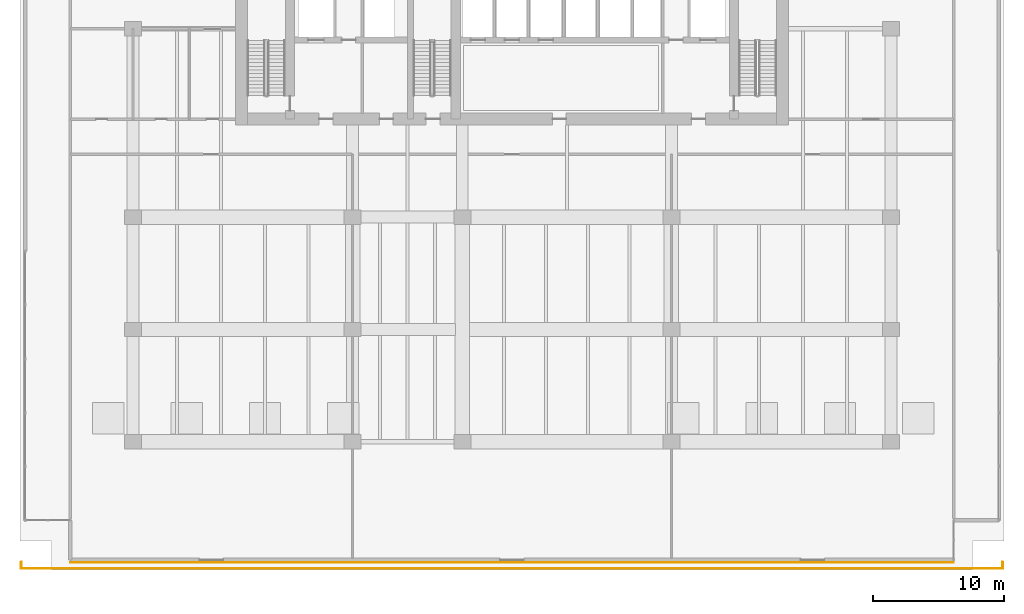
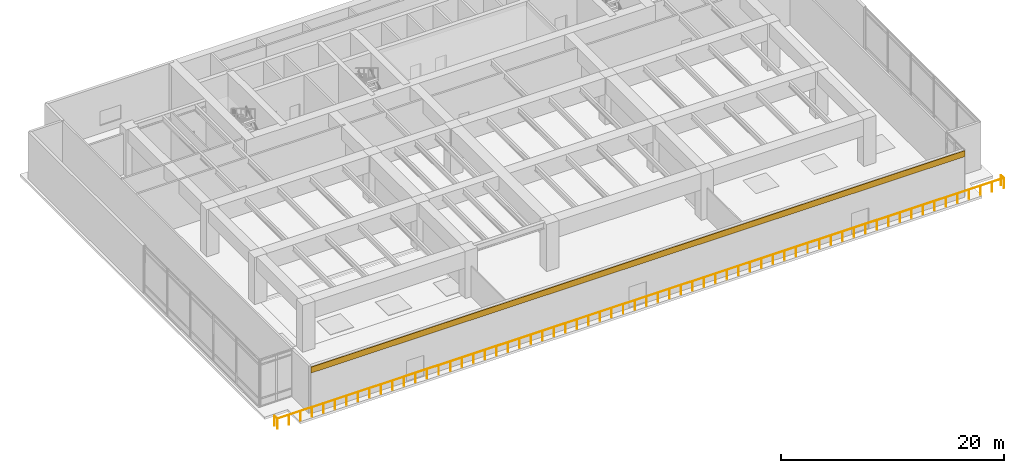
# One storey, part 10 of 12: 1 covering, 1 railing.
"""IFC4 building model written with IfcOpenShell, lengths in metres."""

import ifcopenshell
import ifcopenshell.guid

model = None  # the IFC model being written
_history = None  # IfcOwnerHistory: only IFC2X3 demands one
_inside = {}  # id of a spatial element -> (the spatial element, [elements in it])
_under = {}  # id of a project, library or spatial element -> (it, [spatial elements below it])
_declared = {}  # id of a project -> (the project, [libraries it declares])
_typed = {}  # id of a type object -> (the type object, [elements of that type])
_made_of = {}  # id of a material, layer set ... -> (it, [elements and type objects made of it])


def new_model(schema):
    """Start an empty IFC model of exactly this schema.

    Asked for "IFC4X3", IfcOpenShell would pick the latest addendum, in which some entities
    have other attributes; the version numbers below select the first issue.
    IFC2X3 requires an IfcOwnerHistory on every rooted entity: one is made here for all.
    """
    global model, _history
    if schema == "IFC4X3":
        model = ifcopenshell.file(schema_version=(4, 3, 0, 0))
    else:
        model = ifcopenshell.file(schema=schema)
    _inside.clear()
    _under.clear()
    _declared.clear()
    _typed.clear()
    _made_of.clear()
    _history = None
    if model.schema == "IFC2X3":
        org = make("IfcOrganization", Name="unknown")
        user = make(
            "IfcPersonAndOrganization",
            ThePerson=make("IfcPerson", FamilyName="unknown"),
            TheOrganization=org,
        )
        app = make(
            "IfcApplication",
            ApplicationDeveloper=org,
            Version="unknown",
            ApplicationFullName="unknown",
            ApplicationIdentifier="unknown",
        )
        _history = make(
            "IfcOwnerHistory",
            OwningUser=user,
            OwningApplication=app,
            ChangeAction="ADDED",
            CreationDate=0,
        )
    return model


def make(cls, **values):
    """One entity of the class cls with the attributes given. An attribute that is None is left unset."""
    return model.create_entity(
        cls, **{name: value for name, value in values.items() if value is not None}
    )


def rooted(cls, **values):
    """An entity with a GlobalId (a new one), such as an element, a storey or a relation."""
    return make(cls, GlobalId=ifcopenshell.guid.new(), OwnerHistory=_history, **values)


def si_unit(unit_type, name, prefix=None):
    """IfcSIUnit, for example si_unit("LENGTHUNIT", "METRE", prefix="MILLI")."""
    return make("IfcSIUnit", UnitType=unit_type, Prefix=prefix, Name=name)


def assignment(units):
    """IfcUnitAssignment: the units of a project."""
    return None if units is None else make("IfcUnitAssignment", Units=units)


def point(xyz):
    """IfcCartesianPoint."""
    return None if xyz is None else make("IfcCartesianPoint", Coordinates=xyz)


def direction(xyz):
    """IfcDirection."""
    return None if xyz is None else make("IfcDirection", DirectionRatios=xyz)


def frame(location, z_axis=None, x_axis=None):
    """IfcAxis2Placement3D, a coordinate frame: its origin and axes. An axis left out is left unset."""
    return make(
        "IfcAxis2Placement3D",
        Location=point(location),
        Axis=direction(z_axis),
        RefDirection=direction(x_axis),
    )


def frame_2d(location, x_axis=None):
    """IfcAxis2Placement2D, a coordinate frame in the plane: its origin and x axis."""
    return make(
        "IfcAxis2Placement2D", Location=point(location), RefDirection=direction(x_axis)
    )


def origin():
    """The frame at (0, 0, 0) with its axes left unset."""
    return frame((0.0, 0.0, 0.0))


def origin_2d():
    """The frame at (0, 0) in the plane with its x axis left unset."""
    return frame_2d((0.0, 0.0))


def place(relative_to, where):
    """IfcLocalPlacement: puts the frame where relative to a parent placement (None: the world)."""
    return make(
        "IfcLocalPlacement", PlacementRelTo=relative_to, RelativePlacement=where
    )


def context(
    kind, dimensions, precision=None, world=None, true_north=None, identifier=None
):
    """IfcGeometricRepresentationContext, for example the 3D "Model" context."""
    return make(
        "IfcGeometricRepresentationContext",
        ContextIdentifier=identifier,
        ContextType=kind,
        CoordinateSpaceDimension=dimensions,
        Precision=precision,
        WorldCoordinateSystem=world,
        TrueNorth=true_north,
    )


def subcontext(parent, identifier, kind, view, scale=None):
    """IfcGeometricRepresentationSubContext, for example "Body" below "Model"."""
    return make(
        "IfcGeometricRepresentationSubContext",
        ContextIdentifier=identifier,
        ContextType=kind,
        ParentContext=parent,
        TargetScale=scale,
        TargetView=view,
    )


def project(units=None, contexts=None):
    """IfcProject with its units and contexts."""
    return rooted(
        "IfcProject",
        Name="project",
        RepresentationContexts=contexts,
        UnitsInContext=assignment(units),
    )


def spatial(cls, under=None, at=None, **own):
    """A site, building, storey or space (cls), placed at a placement, below another one or the project."""
    s = rooted(cls, ObjectPlacement=at, **own)
    if under is not None:
        _under.setdefault(under.id(), (under, []))[1].append(s)
    return s


def profile(cls, at=None, kind="AREA", **sizes):
    """A parametric profile (cls). Its sizes go by their IFC names, for example OverallWidth=200.0."""
    return make(cls, ProfileType=kind, Position=at, **sizes)


def rectangle(**sizes):
    """IfcRectangleProfileDef."""
    return profile("IfcRectangleProfileDef", **sizes)


def circle(**sizes):
    """IfcCircleProfileDef."""
    return profile("IfcCircleProfileDef", **sizes)


def extrude(swept, where, along, depth):
    """IfcExtrudedAreaSolid: the profile swept, set in the frame where, extruded along a direction by depth."""
    return make(
        "IfcExtrudedAreaSolid",
        SweptArea=swept,
        Position=where,
        ExtrudedDirection=direction(along),
        Depth=depth,
    )


def shape(context_of_items, identifier, shape_type, items):
    """IfcShapeRepresentation: the items that make up one representation, for example the "Body"."""
    return make(
        "IfcShapeRepresentation",
        ContextOfItems=context_of_items,
        RepresentationIdentifier=identifier,
        RepresentationType=shape_type,
        Items=items,
    )


def material(Name=None, Category=None):
    """IfcMaterial."""
    return make("IfcMaterial", Name=Name, Category=Category)


def layer(
    of_material, thickness, ventilated=None, Name=None, Category=None, Priority=None
):
    """IfcMaterialLayer: one layer of a wall or slab, of a material (None: an air gap)."""
    return make(
        "IfcMaterialLayer",
        Material=of_material,
        LayerThickness=thickness,
        IsVentilated=ventilated,
        Name=Name,
        Category=Category,
        Priority=Priority,
    )


def layer_set(layers, Name=None):
    """IfcMaterialLayerSet."""
    return make("IfcMaterialLayerSet", MaterialLayers=layers, LayerSetName=Name)


def made_of(thing, what):
    """Note that an element or type object is made of a material, layer set ...; save() writes the relation."""
    if what is not None:
        _made_of.setdefault(what.id(), (what, []))[1].append(thing)
    return thing


def type_object(cls, material=None, **own):
    """A type object (cls), such as IfcWallType, which elements share."""
    return made_of(rooted(cls, **own), material)


def element(
    cls,
    number,
    at=None,
    inside=None,
    cuts=None,
    type_object=None,
    material=None,
    context=None,
    identifier="Body",
    shape_type=None,
    held_by="IfcProductDefinitionShape",
    body=None,
    shapes=None,
    **own,
):
    """One element of the class cls, such as IfcWall. Its Tag is "e" and its number.

    at: its placement. inside: the storey or other place that contains it. cuts: it is an
    opening in that element (IfcRelVoidsElement). A single representation is given by context,
    identifier, shape_type and body (its items); several are given by shapes. held_by: the class
    of the entity that holds the representations. save() writes the other relations.
    """
    e = rooted(cls, Tag="e%d" % number, ObjectPlacement=at, **own)
    if body is not None:
        shapes = [shape(context, identifier, shape_type, body)]
    if shapes is not None:
        e.Representation = make(held_by, Representations=shapes)
    if inside is not None:
        _inside.setdefault(inside.id(), (inside, []))[1].append(e)
    if cuts is not None:
        rooted(
            "IfcRelVoidsElement", RelatingBuildingElement=cuts, RelatedOpeningElement=e
        )
    if type_object is not None:
        _typed.setdefault(type_object.id(), (type_object, []))[1].append(e)
    return made_of(e, material)


def aggregate(whole, parts):
    """IfcRelAggregates: a whole, such as a stair, and the parts it consists of."""
    return rooted("IfcRelAggregates", RelatingObject=whole, RelatedObjects=parts)


def save(model, path):
    """Write the relations noted so far, then the file.

    IfcRelAggregates (storeys below a building ...), IfcRelContainedInSpatialStructure (elements
    in a storey), IfcRelDefinesByType, IfcRelAssociatesMaterial and IfcRelDeclares: one each for
    every whole, place, type object, material and project.
    """
    for whole, parts in _under.values():
        aggregate(whole, parts)
    for where, things in _inside.values():
        rooted(
            "IfcRelContainedInSpatialStructure",
            RelatedElements=things,
            RelatingStructure=where,
        )
    for kind, things in _typed.values():
        rooted("IfcRelDefinesByType", RelatedObjects=things, RelatingType=kind)
    for what, things in _made_of.values():
        rooted("IfcRelAssociatesMaterial", RelatedObjects=things, RelatingMaterial=what)
    for by, libraries in _declared.values():
        rooted("IfcRelDeclares", RelatingContext=by, RelatedDefinitions=libraries)
    model.write(path)


model = new_model("IFC4")

# Units and contexts
model_context = context("Model", 3, precision=1e-05, world=origin(), true_north=direction((0.0, 1.0)))
body_context = subcontext(model_context, "Body", "Model", "MODEL_VIEW")
ifc_project = project(units=[si_unit("LENGTHUNIT", "METRE"), si_unit("AREAUNIT", "SQUARE_METRE"), si_unit("VOLUMEUNIT", "CUBIC_METRE"), si_unit("PLANEANGLEUNIT", "RADIAN"), si_unit("MASSUNIT", "GRAM", prefix="KILO")], contexts=[model_context])

# Site, building, storey
site_placement = place(None, origin())
site = spatial("IfcSite", under=ifc_project, at=site_placement, CompositionType="ELEMENT")
building_placement = place(site_placement, origin())
building = spatial("IfcBuilding", under=site, at=building_placement, Name="Caelmar Bay Residences", CompositionType="ELEMENT")
storey_placement = place(building_placement, frame((0.0, 0.0, 24.60009765625)))
storey = spatial("IfcBuildingStorey", under=building, at=storey_placement, Name="L05", CompositionType="ELEMENT", Elevation=24.60009765625)

# Covering
ifc_material_1 = material(Name="Honed Florida oolitic limestone rainscreen 60 mm", Category="masonry")
ifc_layer = layer(ifc_material_1, 0.06005859375)
ifc_layer_set = layer_set([ifc_layer], Name="Honed Florida oolitic limestone rainscreen 60 mm")
covering_type = type_object("IfcCoveringType", Name="COV-CLAD-60", PredefinedType="CLADDING", material=ifc_layer_set)
covering_placement = place(storey_placement, frame((38.89990234375, 2.969970703125, 4.474853515625), z_axis=(0.0, 0.0, 1.0), x_axis=(1.0, 0.0, 0.0)))
element("IfcCovering", 1, at=covering_placement, inside=storey, type_object=covering_type, Name="L05 Oolitic Limestone Spandrel Cladding", PredefinedType="CLADDING", context=body_context, shape_type="SweptSolid", body=[
    extrude(rectangle(XDim=67.60009765625, YDim=0.06005859375, at=origin_2d()), origin(), (0.0, 0.0, 1.0), 0.64990234375),
])

# Railing
ifc_material_2 = material(Name="Anodised bronze handrail with laminated hurricane glass infill", Category="glass")
railing_type = type_object("IfcRailingType", Name="RL-BAL-1100", PredefinedType="BALUSTRADE", material=ifc_material_2)
railing_placement = place(storey_placement, frame((1.35009765625, 3.0, 0.0)))
element("IfcRailing", 2, at=railing_placement, inside=storey, type_object=railing_type, Name="L05 Planted Terrace Perimeter Balustrade", PredefinedType="BALUSTRADE", context=body_context, shape_type="SweptSolid", body=[
    extrude(circle(Radius=0.02392578125, at=origin_2d()), frame((0.0, 0.0, 1.076171875), z_axis=(0.0, -1.0, 0.0), x_axis=(1.0, 0.0, 0.0)), (0.0, 0.0, 1.0), 0.5),
    extrude(circle(Radius=0.02392578125, at=origin_2d()), frame((0.0, -0.5, 1.076171875), z_axis=(1.0, 0.0, 0.0), x_axis=(0.0, 1.0, 0.0)), (0.0, 0.0, 1.0), 75.099853515625),
    extrude(circle(Radius=0.02392578125, at=origin_2d()), frame((75.099853515625, -0.5, 1.076171875), z_axis=(0.0, 1.0, 0.0), x_axis=(-1.0, 0.0, 0.0)), (0.0, 0.0, 1.0), 0.5),
    extrude(circle(Radius=0.02099609375, at=origin_2d()), origin(), (0.0, 0.0, 1.0), 1.052001953125),
    extrude(circle(Radius=0.02099609375, at=origin_2d()), frame((0.0, -0.5, 0.0)), (0.0, 0.0, 1.0), 1.052001953125),
    extrude(circle(Radius=0.02099609375, at=origin_2d()), frame((1.192138671875, -0.5, 0.0)), (0.0, 0.0, 1.0), 1.052001953125),
    extrude(circle(Radius=0.02099609375, at=origin_2d()), frame((2.384033203125, -0.5, 0.0)), (0.0, 0.0, 1.0), 1.052001953125),
    extrude(circle(Radius=0.02099609375, at=origin_2d()), frame((3.576171875, -0.5, 0.0)), (0.0, 0.0, 1.0), 1.052001953125),
    extrude(circle(Radius=0.02099609375, at=origin_2d()), frame((4.768310546875, -0.5, 0.0)), (0.0, 0.0, 1.0), 1.052001953125),
    extrude(circle(Radius=0.02099609375, at=origin_2d()), frame((5.960205078125, -0.5, 0.0)), (0.0, 0.0, 1.0), 1.052001953125),
    extrude(circle(Radius=0.02099609375, at=origin_2d()), frame((7.15234375, -0.5, 0.0)), (0.0, 0.0, 1.0), 1.052001953125),
    extrude(circle(Radius=0.02099609375, at=origin_2d()), frame((8.344482421875, -0.5, 0.0)), (0.0, 0.0, 1.0), 1.052001953125),
    extrude(circle(Radius=0.02099609375, at=origin_2d()), frame((9.536376953125, -0.5, 0.0)), (0.0, 0.0, 1.0), 1.052001953125),
    extrude(circle(Radius=0.02099609375, at=origin_2d()), frame((10.728515625, -0.5, 0.0)), (0.0, 0.0, 1.0), 1.052001953125),
    extrude(circle(Radius=0.02099609375, at=origin_2d()), frame((11.920654296875, -0.5, 0.0)), (0.0, 0.0, 1.0), 1.052001953125),
    extrude(circle(Radius=0.02099609375, at=origin_2d()), frame((13.11279296875, -0.5, 0.0)), (0.0, 0.0, 1.0), 1.052001953125),
    extrude(circle(Radius=0.02099609375, at=origin_2d()), frame((14.3046875, -0.5, 0.0)), (0.0, 0.0, 1.0), 1.052001953125),
    extrude(circle(Radius=0.02099609375, at=origin_2d()), frame((15.496826171875, -0.5, 0.0)), (0.0, 0.0, 1.0), 1.052001953125),
    extrude(circle(Radius=0.02099609375, at=origin_2d()), frame((16.68896484375, -0.5, 0.0)), (0.0, 0.0, 1.0), 1.052001953125),
    extrude(circle(Radius=0.02099609375, at=origin_2d()), frame((17.880859375, -0.5, 0.0)), (0.0, 0.0, 1.0), 1.052001953125),
    extrude(circle(Radius=0.02099609375, at=origin_2d()), frame((19.072998046875, -0.5, 0.0)), (0.0, 0.0, 1.0), 1.052001953125),
    extrude(circle(Radius=0.02099609375, at=origin_2d()), frame((20.26513671875, -0.5, 0.0)), (0.0, 0.0, 1.0), 1.052001953125),
    extrude(circle(Radius=0.02099609375, at=origin_2d()), frame((21.45703125, -0.5, 0.0)), (0.0, 0.0, 1.0), 1.052001953125),
    extrude(circle(Radius=0.02099609375, at=origin_2d()), frame((22.649169921875, -0.5, 0.0)), (0.0, 0.0, 1.0), 1.052001953125),
    extrude(circle(Radius=0.02099609375, at=origin_2d()), frame((23.84130859375, -0.5, 0.0)), (0.0, 0.0, 1.0), 1.052001953125),
    extrude(circle(Radius=0.02099609375, at=origin_2d()), frame((25.033203125, -0.5, 0.0)), (0.0, 0.0, 1.0), 1.052001953125),
    extrude(circle(Radius=0.02099609375, at=origin_2d()), frame((26.225341796875, -0.5, 0.0)), (0.0, 0.0, 1.0), 1.052001953125),
    extrude(circle(Radius=0.02099609375, at=origin_2d()), frame((27.41748046875, -0.5, 0.0)), (0.0, 0.0, 1.0), 1.052001953125),
    extrude(circle(Radius=0.02099609375, at=origin_2d()), frame((28.609375, -0.5, 0.0)), (0.0, 0.0, 1.0), 1.052001953125),
    extrude(circle(Radius=0.02099609375, at=origin_2d()), frame((29.801513671875, -0.5, 0.0)), (0.0, 0.0, 1.0), 1.052001953125),
    extrude(circle(Radius=0.02099609375, at=origin_2d()), frame((30.99365234375, -0.5, 0.0)), (0.0, 0.0, 1.0), 1.052001953125),
    extrude(circle(Radius=0.02099609375, at=origin_2d()), frame((32.185546875, -0.5, 0.0)), (0.0, 0.0, 1.0), 1.052001953125),
    extrude(circle(Radius=0.02099609375, at=origin_2d()), frame((33.377685546875, -0.5, 0.0)), (0.0, 0.0, 1.0), 1.052001953125),
    extrude(circle(Radius=0.02099609375, at=origin_2d()), frame((34.56982421875, -0.5, 0.0)), (0.0, 0.0, 1.0), 1.052001953125),
    extrude(circle(Radius=0.02099609375, at=origin_2d()), frame((35.76171875, -0.5, 0.0)), (0.0, 0.0, 1.0), 1.052001953125),
    extrude(circle(Radius=0.02099609375, at=origin_2d()), frame((36.953857421875, -0.5, 0.0)), (0.0, 0.0, 1.0), 1.052001953125),
    extrude(circle(Radius=0.02099609375, at=origin_2d()), frame((38.14599609375, -0.5, 0.0)), (0.0, 0.0, 1.0), 1.052001953125),
    extrude(circle(Radius=0.02099609375, at=origin_2d()), frame((39.338134765625, -0.5, 0.0)), (0.0, 0.0, 1.0), 1.052001953125),
    extrude(circle(Radius=0.02099609375, at=origin_2d()), frame((40.530029296875, -0.5, 0.0)), (0.0, 0.0, 1.0), 1.052001953125),
    extrude(circle(Radius=0.02099609375, at=origin_2d()), frame((41.72216796875, -0.5, 0.0)), (0.0, 0.0, 1.0), 1.052001953125),
    extrude(circle(Radius=0.02099609375, at=origin_2d()), frame((42.914306640625, -0.5, 0.0)), (0.0, 0.0, 1.0), 1.052001953125),
    extrude(circle(Radius=0.02099609375, at=origin_2d()), frame((44.106201171875, -0.5, 0.0)), (0.0, 0.0, 1.0), 1.052001953125),
    extrude(circle(Radius=0.02099609375, at=origin_2d()), frame((45.29833984375, -0.5, 0.0)), (0.0, 0.0, 1.0), 1.052001953125),
    extrude(circle(Radius=0.02099609375, at=origin_2d()), frame((46.490478515625, -0.5, 0.0)), (0.0, 0.0, 1.0), 1.052001953125),
    extrude(circle(Radius=0.02099609375, at=origin_2d()), frame((47.682373046875, -0.5, 0.0)), (0.0, 0.0, 1.0), 1.052001953125),
    extrude(circle(Radius=0.02099609375, at=origin_2d()), frame((48.87451171875, -0.5, 0.0)), (0.0, 0.0, 1.0), 1.052001953125),
    extrude(circle(Radius=0.02099609375, at=origin_2d()), frame((50.066650390625, -0.5, 0.0)), (0.0, 0.0, 1.0), 1.052001953125),
    extrude(circle(Radius=0.02099609375, at=origin_2d()), frame((51.258544921875, -0.5, 0.0)), (0.0, 0.0, 1.0), 1.052001953125),
    extrude(circle(Radius=0.02099609375, at=origin_2d()), frame((52.45068359375, -0.5, 0.0)), (0.0, 0.0, 1.0), 1.052001953125),
    extrude(circle(Radius=0.02099609375, at=origin_2d()), frame((53.642822265625, -0.5, 0.0)), (0.0, 0.0, 1.0), 1.052001953125),
    extrude(circle(Radius=0.02099609375, at=origin_2d()), frame((54.834716796875, -0.5, 0.0)), (0.0, 0.0, 1.0), 1.052001953125),
    extrude(circle(Radius=0.02099609375, at=origin_2d()), frame((56.02685546875, -0.5, 0.0)), (0.0, 0.0, 1.0), 1.052001953125),
    extrude(circle(Radius=0.02099609375, at=origin_2d()), frame((57.218994140625, -0.5, 0.0)), (0.0, 0.0, 1.0), 1.052001953125),
    extrude(circle(Radius=0.02099609375, at=origin_2d()), frame((58.410888671875, -0.5, 0.0)), (0.0, 0.0, 1.0), 1.052001953125),
    extrude(circle(Radius=0.02099609375, at=origin_2d()), frame((59.60302734375, -0.5, 0.0)), (0.0, 0.0, 1.0), 1.052001953125),
    extrude(circle(Radius=0.02099609375, at=origin_2d()), frame((60.795166015625, -0.5, 0.0)), (0.0, 0.0, 1.0), 1.052001953125),
    extrude(circle(Radius=0.02099609375, at=origin_2d()), frame((61.987060546875, -0.5, 0.0)), (0.0, 0.0, 1.0), 1.052001953125),
    extrude(circle(Radius=0.02099609375, at=origin_2d()), frame((63.17919921875, -0.5, 0.0)), (0.0, 0.0, 1.0), 1.052001953125),
    extrude(circle(Radius=0.02099609375, at=origin_2d()), frame((64.371337890625, -0.5, 0.0)), (0.0, 0.0, 1.0), 1.052001953125),
    extrude(circle(Radius=0.02099609375, at=origin_2d()), frame((65.5634765625, -0.5, 0.0)), (0.0, 0.0, 1.0), 1.052001953125),
    extrude(circle(Radius=0.02099609375, at=origin_2d()), frame((66.75537109375, -0.5, 0.0)), (0.0, 0.0, 1.0), 1.052001953125),
    extrude(circle(Radius=0.02099609375, at=origin_2d()), frame((67.947509765625, -0.5, 0.0)), (0.0, 0.0, 1.0), 1.052001953125),
    extrude(circle(Radius=0.02099609375, at=origin_2d()), frame((69.1396484375, -0.5, 0.0)), (0.0, 0.0, 1.0), 1.052001953125),
    extrude(circle(Radius=0.02099609375, at=origin_2d()), frame((70.33154296875, -0.5, 0.0)), (0.0, 0.0, 1.0), 1.052001953125),
    extrude(circle(Radius=0.02099609375, at=origin_2d()), frame((71.523681640625, -0.5, 0.0)), (0.0, 0.0, 1.0), 1.052001953125),
    extrude(circle(Radius=0.02099609375, at=origin_2d()), frame((72.7158203125, -0.5, 0.0)), (0.0, 0.0, 1.0), 1.052001953125),
    extrude(circle(Radius=0.02099609375, at=origin_2d()), frame((73.90771484375, -0.5, 0.0)), (0.0, 0.0, 1.0), 1.052001953125),
    extrude(circle(Radius=0.02099609375, at=origin_2d()), frame((75.099853515625, -0.5, 0.0)), (0.0, 0.0, 1.0), 1.052001953125),
    extrude(circle(Radius=0.02099609375, at=origin_2d()), frame((75.099853515625, 0.0, 0.0)), (0.0, 0.0, 1.0), 1.052001953125),
])

save(model, "model.ifc")
